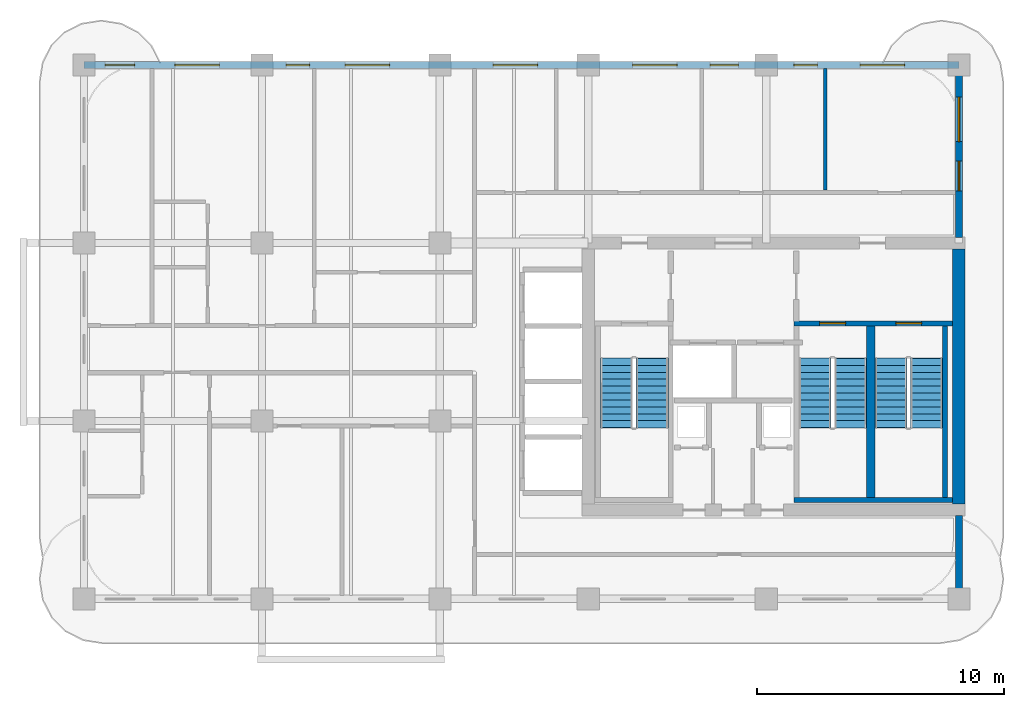
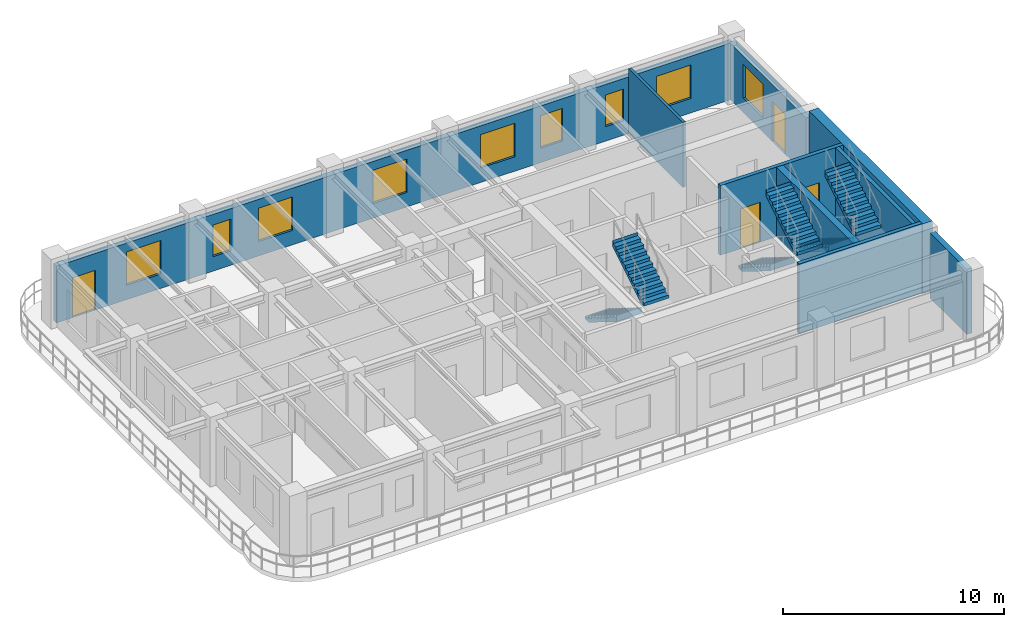
# One storey, part 5 of 7: 9 walls, 9 windows, 6 stair flights, 4 doors, 13 openings, 3 elements without a shape of their own.
"""IFC4 building model written with IfcOpenShell, lengths in metres."""

from ifc_helpers import new_model, si_unit, derived_unit, direction, frame, frame_2d, origin, place, context, subcontext, project, spatial, polyline, rectangle, outline, extrude, source, transform, mapped, material, layer, layer_set, type_object, type_shapes, element, fill, aggregate, save


model = new_model("IFC4")

# Units and contexts
model_context = context("Model", 3, precision=1e-05, world=origin(), true_north=direction((0.0, 1.0)))
body_context = subcontext(model_context, "Body", "Model", "MODEL_VIEW")
ifc_project = project(units=[si_unit("LENGTHUNIT", "METRE"), si_unit("AREAUNIT", "SQUARE_METRE"), si_unit("VOLUMEUNIT", "CUBIC_METRE"), si_unit("PLANEANGLEUNIT", "RADIAN"), si_unit("MASSUNIT", "GRAM", prefix="KILO"), si_unit("THERMODYNAMICTEMPERATUREUNIT", "KELVIN"), si_unit("POWERUNIT", "WATT"), derived_unit("THERMALTRANSMITTANCEUNIT", [(si_unit("POWERUNIT", "WATT"), 1), (si_unit("AREAUNIT", "SQUARE_METRE"), -1), (si_unit("THERMODYNAMICTEMPERATUREUNIT", "KELVIN"), -1)])], contexts=[model_context])

# Site, building, storey
site_placement = place(None, origin())
site = spatial("IfcSite", under=ifc_project, at=site_placement, CompositionType="ELEMENT")
building_placement = place(site_placement, origin())
building = spatial("IfcBuilding", under=site, at=building_placement, Name="Zahravan Archway Hotel and Residences", CompositionType="ELEMENT")
storey_placement = place(building_placement, frame((0.0, 0.0, 221.14990234375)))
storey = spatial("IfcBuildingStorey", under=building, at=storey_placement, Name="L55", CompositionType="ELEMENT", Elevation=221.14990234375)

# Walls
ifc_material_1 = material(Name="Concrete C60/75", Category="concrete")
ifc_layer_1 = layer(ifc_material_1, 0.5, Name="Concrete C60/75", Category="concrete")
ifc_layer_set_1 = layer_set([ifc_layer_1], Name="Concrete C60/75")
wall_type_1 = type_object("IfcWallType", Name="CW-CORE-500", PredefinedType="SHEAR", material=ifc_layer_set_1)
wall_1_placement = place(storey_placement, frame((49.800048828125, 3.85009765625, 0.0), z_axis=(0.0, 0.0, 1.0), x_axis=(0.0, 1.0, 0.0)))
element("IfcWall", 1, at=wall_1_placement, inside=storey, type_object=wall_type_1, Name="L55 Core A Shear E Wall 500 mm", PredefinedType="SHEAR", context=body_context, shape_type="SweptSolid", body=[
    extrude(rectangle(XDim=10.2998046875, YDim=0.5, at=frame_2d((5.14990234375, 0.0))), origin(), (0.0, 0.0, 1.0), 3.85009765625),
])
ifc_material_2 = material(Name="Honed Red-Ochre Sandstone & Insulated Block", Category="masonry")
ifc_layer_2 = layer(ifc_material_2, 0.280029296875, Name="Honed Red-Ochre Sandstone & Insulated Block", Category="masonry")
ifc_layer_set_2 = layer_set([ifc_layer_2], Name="Honed Red-Ochre Sandstone & Insulated Block")
wall_type_2 = type_object("IfcWallType", Name="EW-LOG-280", PredefinedType="SOLIDWALL", material=ifc_layer_set_2)
wall_2_placement = place(storey_placement, frame((49.800048828125, 0.050048828125, 0.0), z_axis=(0.0, 0.0, 1.0), x_axis=(0.0, 1.0, 0.0)))
element("IfcWall", 2, at=wall_2_placement, inside=storey, type_object=wall_type_2, Name="L55 Exterior Sandstone Wall WA-ES", PredefinedType="SOLIDWALL", context=body_context, shape_type="SweptSolid", body=[
    extrude(rectangle(XDim=3.329833984375, YDim=0.280029296875, at=frame_2d((1.6650390625, 0.0))), origin(), (0.0, 0.0, 1.0), 3.60009765625),
])

# Wall, openings, door, window
wall_3_placement = place(storey_placement, frame((49.800048828125, 14.6201171875, 0.0), z_axis=(0.0, 0.0, 1.0), x_axis=(0.0, 1.0, 0.0)))
wall_3 = element("IfcWall", 3, at=wall_3_placement, inside=storey, type_object=wall_type_2, Name="L55 Exterior Sandstone Wall WA-EN", PredefinedType="SOLIDWALL", context=body_context, shape_type="SweptSolid", body=[
    extrude(rectangle(XDim=6.929931640625, YDim=0.280029296875, at=frame_2d((3.46484375, 0.0))), origin(), (0.0, 0.0, 1.0), 3.135009765625),
])
opening_1_placement = place(wall_3_placement, frame((1.888916015625, 0.0, 0.0)))
opening_1 = element("IfcOpeningElement", 4, at=opening_1_placement, cuts=wall_3, Name="Opening ED-BL1", PredefinedType="OPENING", context=body_context, shape_type="SweptSolid", body=[
    extrude(rectangle(XDim=1.199951171875, YDim=2.199951171875, at=frame_2d((0.60009765625, 1.10009765625))), frame((0.0, 0.14990234375, 0.0), z_axis=(0.0, -1.0, 0.0), x_axis=(1.0, 0.0, 0.0)), (0.0, 0.0, 1.0), 0.300048828125),
])
opening_2_placement = place(wall_3_placement, frame((3.884033203125, 0.0, 0.800048828125)))
opening_2 = element("IfcOpeningElement", 5, at=opening_2_placement, cuts=wall_3, Name="Opening W-02", PredefinedType="OPENING", context=body_context, shape_type="SweptSolid", body=[
    extrude(rectangle(XDim=1.800048828125, YDim=1.85009765625, at=frame_2d((0.89990234375, 0.925048828125))), frame((0.0, 0.14990234375, 0.0), z_axis=(0.0, -1.0, 0.0), x_axis=(1.0, 0.0, 0.0)), (0.0, 0.0, 1.0), 0.300048828125),
])
ifc_material_3 = material(Name="Bronze-Anodized Glazed Aluminium", Category="aluminium")
door_type_1 = type_object("IfcDoorType", Name="ED-BALC-1200", OperationType="SLIDING_TO_LEFT", PredefinedType="DOOR", material=ifc_material_3)
shared_shape_1 = source(origin(), body_context, "Body", "SweptSolid", [
    extrude(rectangle(XDim=1.199951171875, YDim=2.199951171875, at=frame_2d((0.60009765625, 1.10009765625))), frame((0.0, 0.02490234375, 0.0), z_axis=(0.0, -1.0, 0.0), x_axis=(1.0, 0.0, 0.0)), (0.0, 0.0, 1.0), 0.050048828125),
])
type_shapes(door_type_1, [shared_shape_1])
door_1_placement = place(opening_1_placement, origin())
door_1 = element("IfcDoor", 6, at=door_1_placement, inside=storey, type_object=door_type_1, Name="L55 Outdoor Access Sliding Door (SLB-BAL-L55-EA)", OperationType="SLIDING_TO_LEFT", OverallHeight=2.199951171875, OverallWidth=1.199951171875, PredefinedType="DOOR", context=body_context, shape_type="MappedRepresentation", body=[
    mapped(shared_shape_1, transform((0.0, 0.0, 0.0), scale=1.0)),
])
fill(opening_1, door_1)
ifc_material_4 = material(Name="Bronze-Anodized Thermal-Break Aluminium & Low-E Glass", Category="aluminium")
window_type_1 = type_object("IfcWindowType", Name="WIN-TWR-1800", PartitioningType="DOUBLE_PANEL_VERTICAL", PredefinedType="WINDOW", material=ifc_material_4)
shared_shape_2 = source(origin(), body_context, "Body", "SweptSolid", [
    extrude(rectangle(XDim=1.800048828125, YDim=1.85009765625, at=frame_2d((0.89990234375, 0.925048828125))), frame((0.0, 0.030029296875, 0.0), z_axis=(0.0, -1.0, 0.0), x_axis=(1.0, 0.0, 0.0)), (0.0, 0.0, 1.0), 0.06005859375),
])
type_shapes(window_type_1, [shared_shape_2])
window_1_placement = place(opening_2_placement, origin())
window_1 = element("IfcWindow", 7, at=window_1_placement, inside=storey, type_object=window_type_1, Name="L55 Loggia Window 10", OverallHeight=1.85009765625, OverallWidth=1.800048828125, PartitioningType="DOUBLE_PANEL_VERTICAL", PredefinedType="WINDOW", context=body_context, shape_type="MappedRepresentation", body=[
    mapped(shared_shape_2, transform((0.0, 0.0, 0.0), scale=1.0)),
])
fill(opening_2, window_1)

# Wall, openings, door, windows
wall_4_placement = place(storey_placement, frame((14.39990234375, 21.60009765625, 0.0), z_axis=(0.0, 0.0, 1.0), x_axis=(1.0, 0.0, 0.0)))
wall_4 = element("IfcWall", 8, at=wall_4_placement, inside=storey, type_object=wall_type_2, Name="L55 Exterior Sandstone Wall WA-N", PredefinedType="SOLIDWALL", context=body_context, shape_type="SweptSolid", body=[
    extrude(rectangle(XDim=35.400146484375, YDim=0.280029296875, at=frame_2d((17.7001953125, 0.0))), origin(), (0.0, 0.0, 1.0), 3.135009765625),
])
opening_3_placement = place(wall_4_placement, frame((0.85009765625, 0.0, 0.0)))
opening_3 = element("IfcOpeningElement", 9, at=opening_3_placement, cuts=wall_4, Name="Opening ED-BL1", PredefinedType="OPENING", context=body_context, shape_type="SweptSolid", body=[
    extrude(rectangle(XDim=1.199951171875, YDim=2.199951171875, at=frame_2d((0.60009765625, 1.10009765625))), frame((0.0, 0.14990234375, 0.0), z_axis=(0.0, -1.0, 0.0), x_axis=(1.0, 0.0, 0.0)), (0.0, 0.0, 1.0), 0.300048828125),
])
opening_4_placement = place(wall_4_placement, frame((3.678955078125, 0.0, 0.800048828125)))
opening_4 = element("IfcOpeningElement", 10, at=opening_4_placement, cuts=wall_4, Name="Opening W-02", PredefinedType="OPENING", context=body_context, shape_type="SweptSolid", body=[
    extrude(rectangle(XDim=1.800048828125, YDim=1.85009765625, at=frame_2d((0.89990234375, 0.925048828125))), frame((0.0, 0.14990234375, 0.0), z_axis=(0.0, -1.0, 0.0), x_axis=(1.0, 0.0, 0.0)), (0.0, 0.0, 1.0), 0.300048828125),
])
opening_5_placement = place(wall_4_placement, frame((8.180908203125, 0.0, 0.800048828125)))
opening_5 = element("IfcOpeningElement", 11, at=opening_5_placement, cuts=wall_4, Name="Opening W-04", PredefinedType="OPENING", context=body_context, shape_type="SweptSolid", body=[
    extrude(rectangle(XDim=0.949951171875, YDim=1.75, at=frame_2d((0.47509765625, 0.875))), frame((0.0, 0.14990234375, 0.0), z_axis=(0.0, -1.0, 0.0), x_axis=(1.0, 0.0, 0.0)), (0.0, 0.0, 1.0), 0.300048828125),
])
opening_6_placement = place(wall_4_placement, frame((10.56396484375, 0.0, 0.800048828125)))
opening_6 = element("IfcOpeningElement", 12, at=opening_6_placement, cuts=wall_4, Name="Opening W-02", PredefinedType="OPENING", context=body_context, shape_type="SweptSolid", body=[
    extrude(rectangle(XDim=1.800048828125, YDim=1.85009765625, at=frame_2d((0.89990234375, 0.925048828125))), frame((0.0, 0.14990234375, 0.0), z_axis=(0.0, -1.0, 0.0), x_axis=(1.0, 0.0, 0.0)), (0.0, 0.0, 1.0), 0.300048828125),
])
opening_7_placement = place(wall_4_placement, frame((16.551025390625, 0.0, 0.800048828125)))
opening_7 = element("IfcOpeningElement", 13, at=opening_7_placement, cuts=wall_4, Name="Opening W-02", PredefinedType="OPENING", context=body_context, shape_type="SweptSolid", body=[
    extrude(rectangle(XDim=1.800048828125, YDim=1.85009765625, at=frame_2d((0.89990234375, 0.925048828125))), frame((0.0, 0.14990234375, 0.0), z_axis=(0.0, -1.0, 0.0), x_axis=(1.0, 0.0, 0.0)), (0.0, 0.0, 1.0), 0.300048828125),
])
opening_8_placement = place(wall_4_placement, frame((22.196044921875, 0.0, 0.800048828125)))
opening_8 = element("IfcOpeningElement", 14, at=opening_8_placement, cuts=wall_4, Name="Opening W-02", PredefinedType="OPENING", context=body_context, shape_type="SweptSolid", body=[
    extrude(rectangle(XDim=1.800048828125, YDim=1.85009765625, at=frame_2d((0.89990234375, 0.925048828125))), frame((0.0, 0.14990234375, 0.0), z_axis=(0.0, -1.0, 0.0), x_axis=(1.0, 0.0, 0.0)), (0.0, 0.0, 1.0), 0.300048828125),
])
opening_9_placement = place(wall_4_placement, frame((25.3291015625, 0.0, 0.800048828125)))
opening_9 = element("IfcOpeningElement", 15, at=opening_9_placement, cuts=wall_4, Name="Opening W-05", PredefinedType="OPENING", context=body_context, shape_type="SweptSolid", body=[
    extrude(rectangle(XDim=1.14990234375, YDim=1.800048828125, at=frame_2d((0.574951171875, 0.89990234375))), frame((0.0, 0.14990234375, 0.0), z_axis=(0.0, -1.0, 0.0), x_axis=(1.0, 0.0, 0.0)), (0.0, 0.0, 1.0), 0.300048828125),
])
opening_10_placement = place(wall_4_placement, frame((28.720947265625, 0.0, 0.800048828125)))
opening_10 = element("IfcOpeningElement", 16, at=opening_10_placement, cuts=wall_4, Name="Opening W-04", PredefinedType="OPENING", context=body_context, shape_type="SweptSolid", body=[
    extrude(rectangle(XDim=0.949951171875, YDim=1.75, at=frame_2d((0.47509765625, 0.875))), frame((0.0, 0.14990234375, 0.0), z_axis=(0.0, -1.0, 0.0), x_axis=(1.0, 0.0, 0.0)), (0.0, 0.0, 1.0), 0.300048828125),
])
opening_11_placement = place(wall_4_placement, frame((31.404052734375, 0.0, 0.800048828125)))
opening_11 = element("IfcOpeningElement", 17, at=opening_11_placement, cuts=wall_4, Name="Opening W-02", PredefinedType="OPENING", context=body_context, shape_type="SweptSolid", body=[
    extrude(rectangle(XDim=1.800048828125, YDim=1.85009765625, at=frame_2d((0.89990234375, 0.925048828125))), frame((0.0, 0.14990234375, 0.0), z_axis=(0.0, -1.0, 0.0), x_axis=(1.0, 0.0, 0.0)), (0.0, 0.0, 1.0), 0.300048828125),
])
door_2_placement = place(opening_3_placement, origin())
door_2 = element("IfcDoor", 18, at=door_2_placement, inside=storey, type_object=door_type_1, Name="L55 Outdoor Access Sliding Door (SLB-BAL-L55-WA)", OperationType="SLIDING_TO_LEFT", OverallHeight=2.199951171875, OverallWidth=1.199951171875, PredefinedType="DOOR", context=body_context, shape_type="MappedRepresentation", body=[
    mapped(shared_shape_1, transform((0.0, 0.0, 0.0), scale=1.0)),
])
fill(opening_3, door_2)
window_type_2 = type_object("IfcWindowType", Name="WIN-NAR-950", PartitioningType="SINGLE_PANEL", PredefinedType="WINDOW", material=ifc_material_4)
shared_shape_3 = source(origin(), body_context, "Body", "SweptSolid", [
    extrude(rectangle(XDim=0.949951171875, YDim=1.75, at=frame_2d((0.47509765625, 0.875))), frame((0.0, 0.030029296875, 0.0), z_axis=(0.0, -1.0, 0.0), x_axis=(1.0, 0.0, 0.0)), (0.0, 0.0, 1.0), 0.06005859375),
])
type_shapes(window_type_2, [shared_shape_3])
window_2_placement = place(opening_5_placement, origin())
window_2 = element("IfcWindow", 19, at=window_2_placement, inside=storey, type_object=window_type_2, Name="L55 Loggia Window 12", OverallHeight=1.75, OverallWidth=0.949951171875, PartitioningType="SINGLE_PANEL", PredefinedType="WINDOW", context=body_context, shape_type="MappedRepresentation", body=[
    mapped(shared_shape_3, transform((0.0, 0.0, 0.0), scale=1.0)),
])
fill(opening_5, window_2)
window_3_placement = place(opening_10_placement, origin())
window_3 = element("IfcWindow", 20, at=window_3_placement, inside=storey, type_object=window_type_2, Name="L55 Loggia Window 17", OverallHeight=1.75, OverallWidth=0.949951171875, PartitioningType="SINGLE_PANEL", PredefinedType="WINDOW", context=body_context, shape_type="MappedRepresentation", body=[
    mapped(shared_shape_3, transform((0.0, 0.0, 0.0), scale=1.0)),
])
fill(opening_10, window_3)
window_4_placement = place(opening_4_placement, origin())
window_4 = element("IfcWindow", 21, at=window_4_placement, inside=storey, type_object=window_type_1, Name="L55 Loggia Window 11", OverallHeight=1.85009765625, OverallWidth=1.800048828125, PartitioningType="DOUBLE_PANEL_VERTICAL", PredefinedType="WINDOW", context=body_context, shape_type="MappedRepresentation", body=[
    mapped(shared_shape_2, transform((0.0, 0.0, 0.0), scale=1.0)),
])
fill(opening_4, window_4)
window_5_placement = place(opening_6_placement, origin())
window_5 = element("IfcWindow", 22, at=window_5_placement, inside=storey, type_object=window_type_1, Name="L55 Loggia Window 13", OverallHeight=1.85009765625, OverallWidth=1.800048828125, PartitioningType="DOUBLE_PANEL_VERTICAL", PredefinedType="WINDOW", context=body_context, shape_type="MappedRepresentation", body=[
    mapped(shared_shape_2, transform((0.0, 0.0, 0.0), scale=1.0)),
])
fill(opening_6, window_5)
window_6_placement = place(opening_7_placement, origin())
window_6 = element("IfcWindow", 23, at=window_6_placement, inside=storey, type_object=window_type_1, Name="L55 Loggia Window 14", OverallHeight=1.85009765625, OverallWidth=1.800048828125, PartitioningType="DOUBLE_PANEL_VERTICAL", PredefinedType="WINDOW", context=body_context, shape_type="MappedRepresentation", body=[
    mapped(shared_shape_2, transform((0.0, 0.0, 0.0), scale=1.0)),
])
fill(opening_7, window_6)
window_7_placement = place(opening_8_placement, origin())
window_7 = element("IfcWindow", 24, at=window_7_placement, inside=storey, type_object=window_type_1, Name="L55 Loggia Window 15", OverallHeight=1.85009765625, OverallWidth=1.800048828125, PartitioningType="DOUBLE_PANEL_VERTICAL", PredefinedType="WINDOW", context=body_context, shape_type="MappedRepresentation", body=[
    mapped(shared_shape_2, transform((0.0, 0.0, 0.0), scale=1.0)),
])
fill(opening_8, window_7)
window_8_placement = place(opening_11_placement, origin())
window_8 = element("IfcWindow", 25, at=window_8_placement, inside=storey, type_object=window_type_1, Name="L55 Loggia Window 18", OverallHeight=1.85009765625, OverallWidth=1.800048828125, PartitioningType="DOUBLE_PANEL_VERTICAL", PredefinedType="WINDOW", context=body_context, shape_type="MappedRepresentation", body=[
    mapped(shared_shape_2, transform((0.0, 0.0, 0.0), scale=1.0)),
])
fill(opening_11, window_8)
window_type_3 = type_object("IfcWindowType", Name="WIN-TWR-1150", PartitioningType="SINGLE_PANEL", PredefinedType="WINDOW", material=ifc_material_4)
shared_shape_4 = source(origin(), body_context, "Body", "SweptSolid", [
    extrude(rectangle(XDim=1.14990234375, YDim=1.800048828125, at=frame_2d((0.574951171875, 0.89990234375))), frame((0.0, 0.030029296875, 0.0), z_axis=(0.0, -1.0, 0.0), x_axis=(1.0, 0.0, 0.0)), (0.0, 0.0, 1.0), 0.06005859375),
])
type_shapes(window_type_3, [shared_shape_4])
window_9_placement = place(opening_9_placement, origin())
window_9 = element("IfcWindow", 26, at=window_9_placement, inside=storey, type_object=window_type_3, Name="L55 Loggia Window 16", OverallHeight=1.800048828125, OverallWidth=1.14990234375, PartitioningType="SINGLE_PANEL", PredefinedType="WINDOW", context=body_context, shape_type="MappedRepresentation", body=[
    mapped(shared_shape_4, transform((0.0, 0.0, 0.0), scale=1.0)),
])
fill(opening_9, window_9)

# Walls
ifc_material_5 = material(Name="Moisture-Resistant Blockwork", Category="masonry")
ifc_layer_3 = layer(ifc_material_5, 0.139892578125, Name="Moisture-Resistant Blockwork", Category="masonry")
ifc_layer_set_3 = layer_set([ifc_layer_3], Name="Moisture-Resistant Blockwork")
wall_type_3 = type_object("IfcWallType", Name="PW-WET-140", PredefinedType="PARTITIONING", material=ifc_layer_set_3)
wall_5_placement = place(storey_placement, frame((44.39990234375, 16.5400390625, 0.0), z_axis=(0.0, 0.0, 1.0), x_axis=(0.0, 1.0, 0.0)))
element("IfcWall", 27, at=wall_5_placement, inside=storey, type_object=wall_type_3, Name="L55 Partition NE2-3", PredefinedType="PARTITIONING", context=body_context, shape_type="SweptSolid", body=[
    extrude(rectangle(XDim=4.911865234375, YDim=0.139892578125, at=frame_2d((2.4560546875, 0.0))), origin(), (0.0, 0.0, 1.0), 3.60009765625),
])
ifc_material_6 = material(Name="Concrete C50/60", Category="concrete")
ifc_layer_4 = layer(ifc_material_6, 0.199951171875, Name="Concrete C50/60", Category="concrete")
ifc_layer_set_4 = layer_set([ifc_layer_4], Name="Concrete C50/60")
wall_type_4 = type_object("IfcWallType", Name="SW-STAIR-200", PredefinedType="SHEAR", material=ifc_layer_set_4)
wall_6_placement = place(storey_placement, frame((43.1201171875, 4.0, 0.0), z_axis=(0.0, 0.0, 1.0), x_axis=(1.0, 0.0, 0.0)))
element("IfcWall", 28, at=wall_6_placement, inside=storey, type_object=wall_type_4, Name="L55 Stairwell RC Wall CA-SA23S", PredefinedType="SHEAR", context=body_context, shape_type="SweptSolid", body=[
    extrude(rectangle(XDim=6.429931640625, YDim=0.199951171875, at=frame_2d((3.21484375, 0.0))), origin(), (0.0, 0.0, 1.0), 3.85009765625),
])
wall_7_placement = place(storey_placement, frame((49.239990234375, 4.10009765625, 0.0), z_axis=(0.0, 0.0, 1.0), x_axis=(0.0, 1.0, 0.0)))
element("IfcWall", 29, at=wall_7_placement, inside=storey, type_object=wall_type_4, Name="L55 Stairwell RC Wall CA-SA3E", PredefinedType="SHEAR", context=body_context, shape_type="SweptSolid", body=[
    extrude(rectangle(XDim=6.949951171875, YDim=0.199951171875, at=frame_2d((3.47509765625, 0.0))), origin(), (0.0, 0.0, 1.0), 3.85009765625),
])

# Wall, openings, doors
wall_8_placement = place(storey_placement, frame((43.1201171875, 11.14990234375, 0.0), z_axis=(0.0, 0.0, 1.0), x_axis=(1.0, 0.0, 0.0)))
wall_8 = element("IfcWall", 30, at=wall_8_placement, inside=storey, type_object=wall_type_4, Name="L55 Stairwell RC Wall CA-SA23N", PredefinedType="SHEAR", context=body_context, shape_type="SweptSolid", body=[
    extrude(rectangle(XDim=6.429931640625, YDim=0.199951171875, at=frame_2d((3.21484375, 0.0))), origin(), (0.0, 0.0, 1.0), 3.85009765625),
])
opening_12_placement = place(wall_8_placement, frame((1.044921875, 0.0, 0.0)))
opening_12 = element("IfcOpeningElement", 31, at=opening_12_placement, cuts=wall_8, Name="Opening FD-S1", PredefinedType="OPENING", context=body_context, shape_type="SweptSolid", body=[
    extrude(rectangle(XDim=1.050048828125, YDim=2.199951171875, at=frame_2d((0.52490234375, 1.10009765625))), frame((0.0, 0.10986328125, 0.0), z_axis=(0.0, -1.0, 0.0), x_axis=(1.0, 0.0, 0.0)), (0.0, 0.0, 1.0), 0.219970703125),
])
opening_13_placement = place(wall_8_placement, frame((4.125, 0.0, 0.0)))
opening_13 = element("IfcOpeningElement", 32, at=opening_13_placement, cuts=wall_8, Name="Opening FD-S1", PredefinedType="OPENING", context=body_context, shape_type="SweptSolid", body=[
    extrude(rectangle(XDim=1.050048828125, YDim=2.199951171875, at=frame_2d((0.52490234375, 1.10009765625))), frame((0.0, 0.10986328125, 0.0), z_axis=(0.0, -1.0, 0.0), x_axis=(1.0, 0.0, 0.0)), (0.0, 0.0, 1.0), 0.219970703125),
])
ifc_material_7 = material(Name="Fire-Rated Painted Steel", Category="steel")
door_type_2 = type_object("IfcDoorType", Name="FD-STAIR-1100", OperationType="NOTDEFINED", PredefinedType="DOOR", material=ifc_material_7)
shared_shape_5 = source(origin(), body_context, "Body", "SweptSolid", [
    extrude(rectangle(XDim=1.050048828125, YDim=2.199951171875, at=frame_2d((0.52490234375, 1.10009765625))), frame((0.0, 0.02490234375, 0.0), z_axis=(0.0, -1.0, 0.0), x_axis=(1.0, 0.0, 0.0)), (0.0, 0.0, 1.0), 0.050048828125),
])
type_shapes(door_type_2, [shared_shape_5])
door_3_placement = place(opening_12_placement, origin())
door_3 = element("IfcDoor", 33, at=door_3_placement, inside=storey, type_object=door_type_2, Name="L55 Stair ST-A2 Door", OperationType="SINGLE_SWING_LEFT", OverallHeight=2.199951171875, OverallWidth=1.050048828125, PredefinedType="DOOR", context=body_context, shape_type="MappedRepresentation", body=[
    mapped(shared_shape_5, transform((0.0, 0.0, 0.0), scale=1.0)),
])
fill(opening_12, door_3)
door_4_placement = place(opening_13_placement, origin())
door_4 = element("IfcDoor", 34, at=door_4_placement, inside=storey, type_object=door_type_2, Name="L55 Stair ST-A3 Door", OperationType="SINGLE_SWING_RIGHT", OverallHeight=2.199951171875, OverallWidth=1.050048828125, PredefinedType="DOOR", context=body_context, shape_type="MappedRepresentation", body=[
    mapped(shared_shape_5, transform((0.0, 0.0, 0.0), scale=1.0)),
])
fill(opening_13, door_4)

# Wall
ifc_layer_5 = layer(ifc_material_6, 0.340087890625, Name="Concrete C50/60", Category="concrete")
ifc_layer_set_5 = layer_set([ifc_layer_5], Name="Concrete C50/60")
wall_type_5 = type_object("IfcWallType", Name="SW-STAIR-340", PredefinedType="SHEAR", material=ifc_layer_set_5)
wall_9_placement = place(storey_placement, frame((46.22998046875, 4.10009765625, 0.0), z_axis=(0.0, 0.0, 1.0), x_axis=(0.0, 1.0, 0.0)))
element("IfcWall", 35, at=wall_9_placement, inside=storey, type_object=wall_type_5, Name="L55 Stairwell RC Wall CA-SA23M", PredefinedType="SHEAR", context=body_context, shape_type="SweptSolid", body=[
    extrude(rectangle(XDim=6.949951171875, YDim=0.340087890625, at=frame_2d((3.47509765625, 0.0))), origin(), (0.0, 0.0, 1.0), 3.85009765625),
])

# Stair, stair flights
stair_type = type_object("IfcStairType", Name="STR-CORE-1300", PredefinedType="HALF_TURN_STAIR", material=ifc_material_6)
stair_1_placement = place(storey_placement, origin())
stair_1 = element("IfcStair", 36, at=stair_1_placement, inside=storey, type_object=stair_type, Name="L55 Core A Exit Stair 1", PredefinedType="HALF_TURN_STAIR")
ifc_layer_6 = layer(ifc_material_6, 0.199951171875, Name="Concrete C50/60", Category="concrete")
ifc_layer_set_6 = layer_set([ifc_layer_6], Name="Concrete C50/60")
stair_flight_type = type_object("IfcStairFlightType", Name="SFL-CORE-1300", PredefinedType="STRAIGHT", material=ifc_layer_set_6)
shared_shape_6 = source(origin(), body_context, "Body", "SweptSolid", [
    extrude(outline(polyline([(-0.01611328125, 0.0), (-0.01611328125, 0.175048828125), (0.280029296875, 0.175048828125), (0.280029296875, 0.35009765625), (0.56005859375, 0.35009765625), (0.56005859375, 0.52490234375), (0.840087890625, 0.52490234375), (0.840087890625, 0.699951171875), (1.1201171875, 0.699951171875), (1.1201171875, 0.875), (1.39990234375, 0.875), (1.39990234375, 1.050048828125), (1.679931640625, 1.050048828125), (1.679931640625, 1.22509765625), (1.9599609375, 1.22509765625), (1.9599609375, 1.39990234375), (2.239990234375, 1.39990234375), (2.239990234375, 1.574951171875), (2.52001953125, 1.574951171875), (2.52001953125, 1.75), (2.800048828125, 1.75), (2.800048828125, 1.925048828125), (2.816162109375, 1.925048828125), (2.816162109375, 1.5732421875), (0.28271484375, 0.0), (-0.01611328125, 0.0)])), frame((0.0, 0.64990234375, 0.0), z_axis=(0.0, -1.0, 0.0), x_axis=(1.0, 0.0, 0.0)), (0.0, 0.0, 1.0), 1.300048828125),
])
stair_flight_1_placement = place(storey_placement, frame((35.949951171875, 9.72998046875, 0.0), z_axis=(0.0, 0.0, 1.0), x_axis=(0.0, -1.0, 0.0)))
stair_flight_1 = element("IfcStairFlight", 37, at=stair_flight_1_placement, type_object=stair_flight_type, Name="ST-A1 flight 1", NumberOfRisers=11, NumberOfTreads=10, PredefinedType="STRAIGHT", RiserHeight=0.175, TreadLength=0.28, context=body_context, shape_type="MappedRepresentation", body=[
    mapped(shared_shape_6, transform((0.0, 0.0, 0.0), scale=1.0)),
])
stair_flight_2_placement = place(storey_placement, frame((37.389892578125, 6.929931640625, 1.925048828125), z_axis=(0.0, 0.0, 1.0), x_axis=(0.0, 1.0, 0.0)))
stair_flight_2 = element("IfcStairFlight", 38, at=stair_flight_2_placement, type_object=stair_flight_type, Name="ST-A1 flight 2", NumberOfRisers=11, NumberOfTreads=10, PredefinedType="STRAIGHT", RiserHeight=0.175, TreadLength=0.28, context=body_context, shape_type="MappedRepresentation", body=[
    mapped(shared_shape_6, transform((0.0, 0.0, 0.0), scale=1.0)),
])
aggregate(stair_1, [stair_flight_1, stair_flight_2])

stair_2_placement = place(storey_placement, origin())
stair_2 = element("IfcStair", 39, at=stair_2_placement, inside=storey, type_object=stair_type, Name="L55 Core A Exit Stair 2", PredefinedType="HALF_TURN_STAIR")
stair_flight_3_placement = place(storey_placement, frame((43.969970703125, 9.72998046875, 0.0), z_axis=(0.0, 0.0, 1.0), x_axis=(0.0, -1.0, 0.0)))
stair_flight_3 = element("IfcStairFlight", 40, at=stair_flight_3_placement, type_object=stair_flight_type, Name="ST-A2 flight 1", NumberOfRisers=11, NumberOfTreads=10, PredefinedType="STRAIGHT", RiserHeight=0.175, TreadLength=0.28, context=body_context, shape_type="MappedRepresentation", body=[
    mapped(shared_shape_6, transform((0.0, 0.0, 0.0), scale=1.0)),
])
stair_flight_4_placement = place(storey_placement, frame((45.409912109375, 6.929931640625, 1.925048828125), z_axis=(0.0, 0.0, 1.0), x_axis=(0.0, 1.0, 0.0)))
stair_flight_4 = element("IfcStairFlight", 41, at=stair_flight_4_placement, type_object=stair_flight_type, Name="ST-A2 flight 2", NumberOfRisers=11, NumberOfTreads=10, PredefinedType="STRAIGHT", RiserHeight=0.175, TreadLength=0.28, context=body_context, shape_type="MappedRepresentation", body=[
    mapped(shared_shape_6, transform((0.0, 0.0, 0.0), scale=1.0)),
])
aggregate(stair_2, [stair_flight_3, stair_flight_4])

stair_3_placement = place(storey_placement, origin())
stair_3 = element("IfcStair", 42, at=stair_3_placement, inside=storey, type_object=stair_type, Name="L55 Core A Exit Stair 3", PredefinedType="HALF_TURN_STAIR")
stair_flight_5_placement = place(storey_placement, frame((47.050048828125, 9.72998046875, 0.0), z_axis=(0.0, 0.0, 1.0), x_axis=(0.0, -1.0, 0.0)))
stair_flight_5 = element("IfcStairFlight", 43, at=stair_flight_5_placement, type_object=stair_flight_type, Name="ST-A3 flight 1", NumberOfRisers=11, NumberOfTreads=10, PredefinedType="STRAIGHT", RiserHeight=0.175, TreadLength=0.28, context=body_context, shape_type="MappedRepresentation", body=[
    mapped(shared_shape_6, transform((0.0, 0.0, 0.0), scale=1.0)),
])
stair_flight_6_placement = place(storey_placement, frame((48.489990234375, 6.929931640625, 1.925048828125), z_axis=(0.0, 0.0, 1.0), x_axis=(0.0, 1.0, 0.0)))
stair_flight_6 = element("IfcStairFlight", 44, at=stair_flight_6_placement, type_object=stair_flight_type, Name="ST-A3 flight 2", NumberOfRisers=11, NumberOfTreads=10, PredefinedType="STRAIGHT", RiserHeight=0.175, TreadLength=0.28, context=body_context, shape_type="MappedRepresentation", body=[
    mapped(shared_shape_6, transform((0.0, 0.0, 0.0), scale=1.0)),
])
aggregate(stair_3, [stair_flight_5, stair_flight_6])

save(model, "model.ifc")
